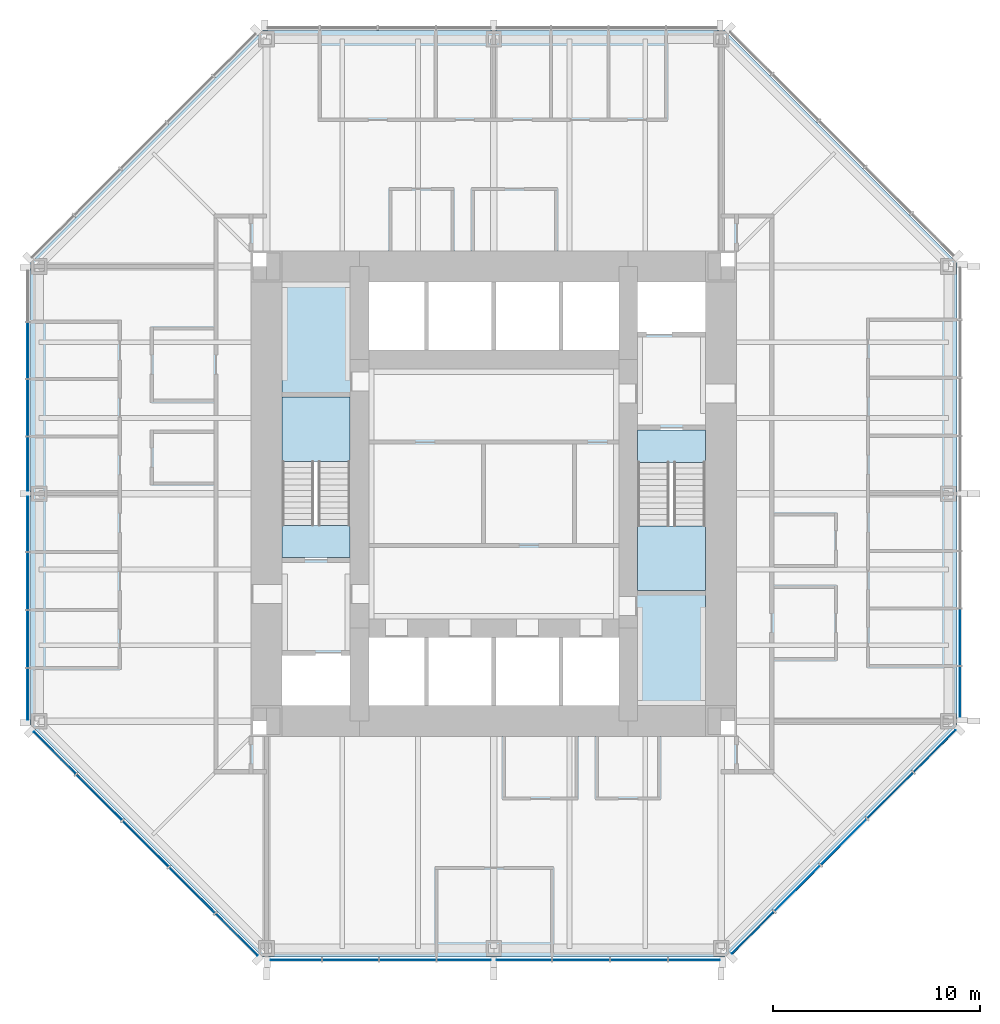
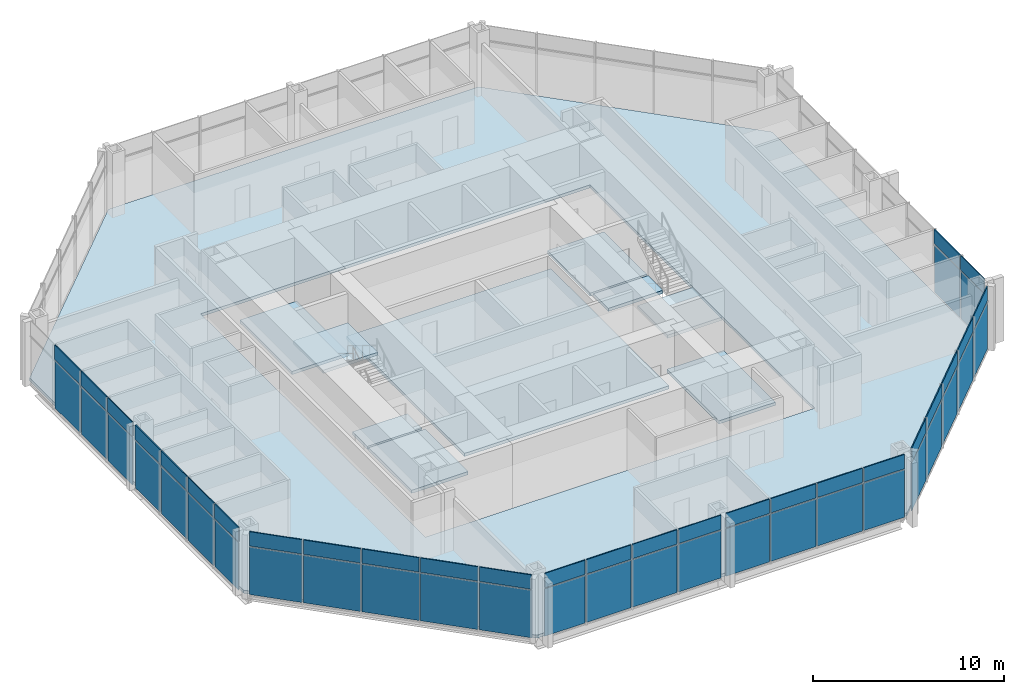
# One storey, part 7 of 14: 54 plates, 10 slabs, 7 elements without a shape of their own.
"""IFC4 building model written with IfcOpenShell, lengths in metres."""

from ifc_helpers import new_model, si_unit, direction, frame, origin, origin_2d, place, context, subcontext, project, spatial, polyline, rectangle, outline, extrude, material, layer, layer_set, type_object, element, aggregate, save


model = new_model("IFC4")

# Units and contexts
model_context = context("Model", 3, precision=1e-05, world=origin(), true_north=direction((0.0, 1.0)))
body_context = subcontext(model_context, "Body", "Model", "MODEL_VIEW")
ifc_project = project(units=[si_unit("LENGTHUNIT", "METRE"), si_unit("AREAUNIT", "SQUARE_METRE"), si_unit("VOLUMEUNIT", "CUBIC_METRE"), si_unit("PLANEANGLEUNIT", "RADIAN"), si_unit("MASSUNIT", "GRAM", prefix="KILO")], contexts=[model_context])

# Site, building, storey
site_placement = place(None, origin())
site = spatial("IfcSite", under=ifc_project, at=site_placement, CompositionType="ELEMENT")
building_placement = place(site_placement, origin())
building = spatial("IfcBuilding", under=site, at=building_placement, Name="Trevanion Tower", CompositionType="ELEMENT")
storey_placement = place(building_placement, frame((0.0, 0.0, 100.800048828125)))
storey = spatial("IfcBuildingStorey", under=building, at=storey_placement, Name="L23", CompositionType="ELEMENT", Elevation=100.800048828125)

# Curtain wall, plates
ifc_material_1 = material(Name="Aluminium and glass", Category="aluminium")
curtain_wall_type = type_object("IfcCurtainWallType", Name="CW2 curtain wall", PredefinedType="USERDEFINED", material=ifc_material_1)
curtain_wall_1_placement = place(storey_placement, origin())
curtain_wall_1 = element("IfcCurtainWall", 1, at=curtain_wall_1_placement, inside=storey, type_object=curtain_wall_type, Name="CW2 L23 0", ObjectType="UNITISED CURTAIN WALL", PredefinedType="USERDEFINED")
ifc_material_2 = material(Name="Aluminium spandrel panel", Category="aluminium")
ifc_layer_1 = layer(ifc_material_2, 0.06005859375)
ifc_layer_set_1 = layer_set([ifc_layer_1], Name="CW2 spandrel panel")
plate_type_1 = type_object("IfcPlateType", Name="CW2 spandrel panel", PredefinedType="CURTAIN_PANEL", material=ifc_layer_set_1)
plate_1_placement = place(storey_placement, frame((22.550048828125, -9.579345703125, 2.997314453125), z_axis=(0.0, 0.0, 1.0), x_axis=(0.0, 1.0, 0.0)))
plate_1 = element("IfcPlate", 2, at=plate_1_placement, type_object=plate_type_1, Name="CW2 panel 1.2", PredefinedType="CURTAIN_PANEL", context=body_context, shape_type="SweptSolid", body=[
    extrude(rectangle(XDim=2.43701171875, YDim=0.06005859375, at=origin_2d()), origin(), (0.0, 0.0, 1.0), 0.91259765625),
])
plate_2_placement = place(storey_placement, frame((22.550048828125, -6.93603515625, 2.997314453125), z_axis=(0.0, 0.0, 1.0), x_axis=(0.0, 1.0, 0.0)))
plate_2 = element("IfcPlate", 3, at=plate_2_placement, type_object=plate_type_1, Name="CW2 panel 2.2", PredefinedType="CURTAIN_PANEL", context=body_context, shape_type="SweptSolid", body=[
    extrude(rectangle(XDim=2.699462890625, YDim=0.06005859375, at=origin_2d()), origin(), (0.0, 0.0, 1.0), 0.91259765625),
])

curtain_wall_2_placement = place(storey_placement, origin())
curtain_wall_2 = element("IfcCurtainWall", 4, at=curtain_wall_2_placement, inside=storey, type_object=curtain_wall_type, Name="CW2 L23 4", ObjectType="UNITISED CURTAIN WALL", PredefinedType="USERDEFINED")
plate_3_placement = place(storey_placement, frame((-22.550048828125, 6.93603515625, 2.997314453125), z_axis=(0.0, 0.0, 1.0), x_axis=(0.0, -1.0, 0.0)))
plate_3 = element("IfcPlate", 5, at=plate_3_placement, type_object=plate_type_1, Name="CW2 panel 2.2", PredefinedType="CURTAIN_PANEL", context=body_context, shape_type="SweptSolid", body=[
    extrude(rectangle(XDim=2.699462890625, YDim=0.06005859375, at=origin_2d()), origin(), (0.0, 0.0, 1.0), 0.91259765625),
])
plate_4_placement = place(storey_placement, frame((-22.550048828125, 4.16162109375, 2.997314453125), z_axis=(0.0, 0.0, 1.0), x_axis=(0.0, -1.0, 0.0)))
plate_4 = element("IfcPlate", 6, at=plate_4_placement, type_object=plate_type_1, Name="CW2 panel 3.2", PredefinedType="CURTAIN_PANEL", context=body_context, shape_type="SweptSolid", body=[
    extrude(rectangle(XDim=2.699462890625, YDim=0.06005859375, at=origin_2d()), origin(), (0.0, 0.0, 1.0), 0.91259765625),
])
plate_5_placement = place(storey_placement, frame((-22.550048828125, 1.443603515625, 2.997314453125), z_axis=(0.0, 0.0, 1.0), x_axis=(0.0, -1.0, 0.0)))
plate_5 = element("IfcPlate", 7, at=plate_5_placement, type_object=plate_type_1, Name="CW2 panel 4.2", PredefinedType="CURTAIN_PANEL", context=body_context, shape_type="SweptSolid", body=[
    extrude(rectangle(XDim=2.5869140625, YDim=0.06005859375, at=origin_2d()), origin(), (0.0, 0.0, 1.0), 0.91259765625),
])
plate_6_placement = place(storey_placement, frame((-22.550048828125, -1.459716796875, 2.997314453125), z_axis=(0.0, 0.0, 1.0), x_axis=(0.0, -1.0, 0.0)))
plate_6 = element("IfcPlate", 8, at=plate_6_placement, type_object=plate_type_1, Name="CW2 panel 5.2", PredefinedType="CURTAIN_PANEL", context=body_context, shape_type="SweptSolid", body=[
    extrude(rectangle(XDim=2.619384765625, YDim=0.06005859375, at=origin_2d()), origin(), (0.0, 0.0, 1.0), 0.91259765625),
])
plate_7_placement = place(storey_placement, frame((-22.550048828125, -4.21044921875, 2.997314453125), z_axis=(0.0, 0.0, 1.0), x_axis=(0.0, -1.0, 0.0)))
plate_7 = element("IfcPlate", 9, at=plate_7_placement, type_object=plate_type_1, Name="CW2 panel 6.2", PredefinedType="CURTAIN_PANEL", context=body_context, shape_type="SweptSolid", body=[
    extrude(rectangle(XDim=2.73193359375, YDim=0.06005859375, at=origin_2d()), origin(), (0.0, 0.0, 1.0), 0.91259765625),
])
plate_8_placement = place(storey_placement, frame((-22.550048828125, -7.017333984375, 2.997314453125), z_axis=(0.0, 0.0, 1.0), x_axis=(0.0, -1.0, 0.0)))
plate_8 = element("IfcPlate", 10, at=plate_8_placement, type_object=plate_type_1, Name="CW2 panel 7.2", PredefinedType="CURTAIN_PANEL", context=body_context, shape_type="SweptSolid", body=[
    extrude(rectangle(XDim=2.73193359375, YDim=0.06005859375, at=origin_2d()), origin(), (0.0, 0.0, 1.0), 0.91259765625),
])
plate_9_placement = place(storey_placement, frame((-22.550048828125, -9.693115234375, 2.997314453125), z_axis=(0.0, 0.0, 1.0), x_axis=(0.0, -1.0, 0.0)))
plate_9 = element("IfcPlate", 11, at=plate_9_placement, type_object=plate_type_1, Name="CW2 panel 8.2", PredefinedType="CURTAIN_PANEL", context=body_context, shape_type="SweptSolid", body=[
    extrude(rectangle(XDim=2.469482421875, YDim=0.06005859375, at=origin_2d()), origin(), (0.0, 0.0, 1.0), 0.91259765625),
])

curtain_wall_3_placement = place(storey_placement, origin())
curtain_wall_3 = element("IfcCurtainWall", 12, at=curtain_wall_3_placement, inside=storey, type_object=curtain_wall_type, Name="CW2 L23 5", ObjectType="UNITISED CURTAIN WALL", PredefinedType="USERDEFINED")
plate_10_placement = place(storey_placement, frame((-21.2421875, -12.53564453125, 2.997314453125), z_axis=(0.0, 0.0, 1.0), x_axis=(0.707106781187, -0.707106781187, 0.0)))
plate_10 = element("IfcPlate", 13, at=plate_10_placement, type_object=plate_type_1, Name="CW2 panel 1.2", PredefinedType="CURTAIN_PANEL", context=body_context, shape_type="SweptSolid", body=[
    extrude(rectangle(XDim=2.8388671875, YDim=0.06005859375, at=origin_2d()), origin(), (0.0, 0.0, 1.0), 0.91259765625),
])
plate_11_placement = place(storey_placement, frame((-19.089111328125, -14.688720703125, 2.997314453125), z_axis=(0.0, 0.0, 1.0), x_axis=(0.707106781187, -0.707106781187, 0.0)))
plate_11 = element("IfcPlate", 14, at=plate_11_placement, type_object=plate_type_1, Name="CW2 panel 2.2", PredefinedType="CURTAIN_PANEL", context=body_context, shape_type="SweptSolid", body=[
    extrude(rectangle(XDim=3.101318359375, YDim=0.06005859375, at=origin_2d()), origin(), (0.0, 0.0, 1.0), 0.91259765625),
])
plate_12_placement = place(storey_placement, frame((-16.843017578125, -16.934814453125, 2.997314453125), z_axis=(0.0, 0.0, 1.0), x_axis=(0.707106781187, -0.707106781187, 0.0)))
plate_12 = element("IfcPlate", 15, at=plate_12_placement, type_object=plate_type_1, Name="CW2 panel 3.2", PredefinedType="CURTAIN_PANEL", context=body_context, shape_type="SweptSolid", body=[
    extrude(rectangle(XDim=3.101318359375, YDim=0.06005859375, at=origin_2d()), origin(), (0.0, 0.0, 1.0), 0.91259765625),
])
plate_13_placement = place(storey_placement, frame((-14.596923828125, -19.180908203125, 2.997314453125), z_axis=(0.0, 0.0, 1.0), x_axis=(0.707106781187, -0.707106781187, 0.0)))
plate_13 = element("IfcPlate", 16, at=plate_13_placement, type_object=plate_type_1, Name="CW2 panel 4.2", PredefinedType="CURTAIN_PANEL", context=body_context, shape_type="SweptSolid", body=[
    extrude(rectangle(XDim=3.101318359375, YDim=0.06005859375, at=origin_2d()), origin(), (0.0, 0.0, 1.0), 0.91259765625),
])
plate_14_placement = place(storey_placement, frame((-12.443603515625, -21.334228515625, 2.997314453125), z_axis=(0.0, 0.0, 1.0), x_axis=(0.707106781187, -0.707106781187, 0.0)))
plate_14 = element("IfcPlate", 17, at=plate_14_placement, type_object=plate_type_1, Name="CW2 panel 5.2", PredefinedType="CURTAIN_PANEL", context=body_context, shape_type="SweptSolid", body=[
    extrude(rectangle(XDim=2.8388671875, YDim=0.06005859375, at=origin_2d()), origin(), (0.0, 0.0, 1.0), 0.91259765625),
])

curtain_wall_4_placement = place(storey_placement, origin())
curtain_wall_4 = element("IfcCurtainWall", 18, at=curtain_wall_4_placement, inside=storey, type_object=curtain_wall_type, Name="CW2 L23 6", ObjectType="UNITISED CURTAIN WALL", PredefinedType="USERDEFINED")
plate_15_placement = place(storey_placement, frame((-9.579345703125, -22.550048828125, 2.997314453125), z_axis=(0.0, 0.0, 1.0), x_axis=(1.0, 0.0, 0.0)))
plate_15 = element("IfcPlate", 19, at=plate_15_placement, type_object=plate_type_1, Name="CW2 panel 1.2", PredefinedType="CURTAIN_PANEL", context=body_context, shape_type="SweptSolid", body=[
    extrude(rectangle(XDim=2.43701171875, YDim=0.06005859375, at=origin_2d()), origin(), (0.0, 0.0, 1.0), 0.91259765625),
])
plate_16_placement = place(storey_placement, frame((-6.93603515625, -22.550048828125, 2.997314453125), z_axis=(0.0, 0.0, 1.0), x_axis=(1.0, 0.0, 0.0)))
plate_16 = element("IfcPlate", 20, at=plate_16_placement, type_object=plate_type_1, Name="CW2 panel 2.2", PredefinedType="CURTAIN_PANEL", context=body_context, shape_type="SweptSolid", body=[
    extrude(rectangle(XDim=2.699462890625, YDim=0.06005859375, at=origin_2d()), origin(), (0.0, 0.0, 1.0), 0.91259765625),
])
plate_17_placement = place(storey_placement, frame((-4.16162109375, -22.550048828125, 2.997314453125), z_axis=(0.0, 0.0, 1.0), x_axis=(1.0, 0.0, 0.0)))
plate_17 = element("IfcPlate", 21, at=plate_17_placement, type_object=plate_type_1, Name="CW2 panel 3.2", PredefinedType="CURTAIN_PANEL", context=body_context, shape_type="SweptSolid", body=[
    extrude(rectangle(XDim=2.699462890625, YDim=0.06005859375, at=origin_2d()), origin(), (0.0, 0.0, 1.0), 0.91259765625),
])
plate_18_placement = place(storey_placement, frame((-1.443603515625, -22.550048828125, 2.997314453125), z_axis=(0.0, 0.0, 1.0), x_axis=(1.0, 0.0, 0.0)))
plate_18 = element("IfcPlate", 22, at=plate_18_placement, type_object=plate_type_1, Name="CW2 panel 4.2", PredefinedType="CURTAIN_PANEL", context=body_context, shape_type="SweptSolid", body=[
    extrude(rectangle(XDim=2.5869140625, YDim=0.06005859375, at=origin_2d()), origin(), (0.0, 0.0, 1.0), 0.91259765625),
])
plate_19_placement = place(storey_placement, frame((1.459716796875, -22.550048828125, 2.997314453125), z_axis=(0.0, 0.0, 1.0), x_axis=(1.0, 0.0, 0.0)))
plate_19 = element("IfcPlate", 23, at=plate_19_placement, type_object=plate_type_1, Name="CW2 panel 5.2", PredefinedType="CURTAIN_PANEL", context=body_context, shape_type="SweptSolid", body=[
    extrude(rectangle(XDim=2.619384765625, YDim=0.06005859375, at=origin_2d()), origin(), (0.0, 0.0, 1.0), 0.91259765625),
])
plate_20_placement = place(storey_placement, frame((4.21044921875, -22.550048828125, 2.997314453125), z_axis=(0.0, 0.0, 1.0), x_axis=(1.0, 0.0, 0.0)))
plate_20 = element("IfcPlate", 24, at=plate_20_placement, type_object=plate_type_1, Name="CW2 panel 6.2", PredefinedType="CURTAIN_PANEL", context=body_context, shape_type="SweptSolid", body=[
    extrude(rectangle(XDim=2.73193359375, YDim=0.06005859375, at=origin_2d()), origin(), (0.0, 0.0, 1.0), 0.91259765625),
])
plate_21_placement = place(storey_placement, frame((7.017333984375, -22.550048828125, 2.997314453125), z_axis=(0.0, 0.0, 1.0), x_axis=(1.0, 0.0, 0.0)))
plate_21 = element("IfcPlate", 25, at=plate_21_placement, type_object=plate_type_1, Name="CW2 panel 7.2", PredefinedType="CURTAIN_PANEL", context=body_context, shape_type="SweptSolid", body=[
    extrude(rectangle(XDim=2.73193359375, YDim=0.06005859375, at=origin_2d()), origin(), (0.0, 0.0, 1.0), 0.91259765625),
])
plate_22_placement = place(storey_placement, frame((9.693115234375, -22.550048828125, 2.997314453125), z_axis=(0.0, 0.0, 1.0), x_axis=(1.0, 0.0, 0.0)))
plate_22 = element("IfcPlate", 26, at=plate_22_placement, type_object=plate_type_1, Name="CW2 panel 8.2", PredefinedType="CURTAIN_PANEL", context=body_context, shape_type="SweptSolid", body=[
    extrude(rectangle(XDim=2.469482421875, YDim=0.06005859375, at=origin_2d()), origin(), (0.0, 0.0, 1.0), 0.91259765625),
])

curtain_wall_5_placement = place(storey_placement, origin())
curtain_wall_5 = element("IfcCurtainWall", 27, at=curtain_wall_5_placement, inside=storey, type_object=curtain_wall_type, Name="CW2 L23 7", ObjectType="UNITISED CURTAIN WALL", PredefinedType="USERDEFINED")
plate_23_placement = place(storey_placement, frame((12.53564453125, -21.2421875, 2.997314453125), z_axis=(0.0, 0.0, 1.0), x_axis=(0.707106781187, 0.707106781187, 0.0)))
plate_23 = element("IfcPlate", 28, at=plate_23_placement, type_object=plate_type_1, Name="CW2 panel 1.2", PredefinedType="CURTAIN_PANEL", context=body_context, shape_type="SweptSolid", body=[
    extrude(rectangle(XDim=2.8388671875, YDim=0.06005859375, at=origin_2d()), origin(), (0.0, 0.0, 1.0), 0.91259765625),
])
plate_24_placement = place(storey_placement, frame((14.688720703125, -19.089111328125, 2.997314453125), z_axis=(0.0, 0.0, 1.0), x_axis=(0.707106781187, 0.707106781187, 0.0)))
plate_24 = element("IfcPlate", 29, at=plate_24_placement, type_object=plate_type_1, Name="CW2 panel 2.2", PredefinedType="CURTAIN_PANEL", context=body_context, shape_type="SweptSolid", body=[
    extrude(rectangle(XDim=3.101318359375, YDim=0.06005859375, at=origin_2d()), origin(), (0.0, 0.0, 1.0), 0.91259765625),
])
plate_25_placement = place(storey_placement, frame((16.934814453125, -16.843017578125, 2.997314453125), z_axis=(0.0, 0.0, 1.0), x_axis=(0.707106781187, 0.707106781187, 0.0)))
plate_25 = element("IfcPlate", 30, at=plate_25_placement, type_object=plate_type_1, Name="CW2 panel 3.2", PredefinedType="CURTAIN_PANEL", context=body_context, shape_type="SweptSolid", body=[
    extrude(rectangle(XDim=3.101318359375, YDim=0.06005859375, at=origin_2d()), origin(), (0.0, 0.0, 1.0), 0.91259765625),
])
plate_26_placement = place(storey_placement, frame((19.180908203125, -14.596923828125, 2.997314453125), z_axis=(0.0, 0.0, 1.0), x_axis=(0.707106781187, 0.707106781187, 0.0)))
plate_26 = element("IfcPlate", 31, at=plate_26_placement, type_object=plate_type_1, Name="CW2 panel 4.2", PredefinedType="CURTAIN_PANEL", context=body_context, shape_type="SweptSolid", body=[
    extrude(rectangle(XDim=3.101318359375, YDim=0.06005859375, at=origin_2d()), origin(), (0.0, 0.0, 1.0), 0.91259765625),
])
plate_27_placement = place(storey_placement, frame((21.334228515625, -12.443603515625, 2.997314453125), z_axis=(0.0, 0.0, 1.0), x_axis=(0.707106781187, 0.707106781187, 0.0)))
plate_27 = element("IfcPlate", 32, at=plate_27_placement, type_object=plate_type_1, Name="CW2 panel 5.2", PredefinedType="CURTAIN_PANEL", context=body_context, shape_type="SweptSolid", body=[
    extrude(rectangle(XDim=2.8388671875, YDim=0.06005859375, at=origin_2d()), origin(), (0.0, 0.0, 1.0), 0.91259765625),
])

# Plate
ifc_material_3 = material(Name="Insulating glass unit", Category="glass")
ifc_layer_2 = layer(ifc_material_3, 0.028076171875)
ifc_layer_set_2 = layer_set([ifc_layer_2], Name="CW2 vision panel")
plate_type_2 = type_object("IfcPlateType", Name="CW2 vision panel", PredefinedType="CURTAIN_PANEL", material=ifc_layer_set_2)
plate_28_placement = place(storey_placement, frame((22.550048828125, -9.579345703125, -0.115234375), z_axis=(0.0, 0.0, 1.0), x_axis=(0.0, 1.0, 0.0)))
plate_28 = element("IfcPlate", 33, at=plate_28_placement, type_object=plate_type_2, Name="CW2 panel 1.1", PredefinedType="CURTAIN_PANEL", context=body_context, shape_type="SweptSolid", body=[
    extrude(rectangle(XDim=2.43701171875, YDim=0.028076171875, at=origin_2d()), origin(), (0.0, 0.0, 1.0), 3.03759765625),
])

plate_29_placement = place(storey_placement, frame((22.550048828125, -6.93603515625, -0.115234375), z_axis=(0.0, 0.0, 1.0), x_axis=(0.0, 1.0, 0.0)))
plate_29 = element("IfcPlate", 34, at=plate_29_placement, type_object=plate_type_2, Name="CW2 panel 2.1", PredefinedType="CURTAIN_PANEL", context=body_context, shape_type="SweptSolid", body=[
    extrude(rectangle(XDim=2.699462890625, YDim=0.028076171875, at=origin_2d()), origin(), (0.0, 0.0, 1.0), 3.03759765625),
])

aggregate(curtain_wall_1, [plate_28, plate_1, plate_29, plate_2])

plate_30_placement = place(storey_placement, frame((-22.550048828125, 6.93603515625, -0.115234375), z_axis=(0.0, 0.0, 1.0), x_axis=(0.0, -1.0, 0.0)))
plate_30 = element("IfcPlate", 35, at=plate_30_placement, type_object=plate_type_2, Name="CW2 panel 2.1", PredefinedType="CURTAIN_PANEL", context=body_context, shape_type="SweptSolid", body=[
    extrude(rectangle(XDim=2.699462890625, YDim=0.028076171875, at=origin_2d()), origin(), (0.0, 0.0, 1.0), 3.03759765625),
])

plate_31_placement = place(storey_placement, frame((-22.550048828125, 4.16162109375, -0.115234375), z_axis=(0.0, 0.0, 1.0), x_axis=(0.0, -1.0, 0.0)))
plate_31 = element("IfcPlate", 36, at=plate_31_placement, type_object=plate_type_2, Name="CW2 panel 3.1", PredefinedType="CURTAIN_PANEL", context=body_context, shape_type="SweptSolid", body=[
    extrude(rectangle(XDim=2.699462890625, YDim=0.028076171875, at=origin_2d()), origin(), (0.0, 0.0, 1.0), 3.03759765625),
])

plate_32_placement = place(storey_placement, frame((-22.550048828125, 1.443603515625, -0.115234375), z_axis=(0.0, 0.0, 1.0), x_axis=(0.0, -1.0, 0.0)))
plate_32 = element("IfcPlate", 37, at=plate_32_placement, type_object=plate_type_2, Name="CW2 panel 4.1", PredefinedType="CURTAIN_PANEL", context=body_context, shape_type="SweptSolid", body=[
    extrude(rectangle(XDim=2.5869140625, YDim=0.028076171875, at=origin_2d()), origin(), (0.0, 0.0, 1.0), 3.03759765625),
])

plate_33_placement = place(storey_placement, frame((-22.550048828125, -1.459716796875, -0.115234375), z_axis=(0.0, 0.0, 1.0), x_axis=(0.0, -1.0, 0.0)))
plate_33 = element("IfcPlate", 38, at=plate_33_placement, type_object=plate_type_2, Name="CW2 panel 5.1", PredefinedType="CURTAIN_PANEL", context=body_context, shape_type="SweptSolid", body=[
    extrude(rectangle(XDim=2.619384765625, YDim=0.028076171875, at=origin_2d()), origin(), (0.0, 0.0, 1.0), 3.03759765625),
])

plate_34_placement = place(storey_placement, frame((-22.550048828125, -4.21044921875, -0.115234375), z_axis=(0.0, 0.0, 1.0), x_axis=(0.0, -1.0, 0.0)))
plate_34 = element("IfcPlate", 39, at=plate_34_placement, type_object=plate_type_2, Name="CW2 panel 6.1", PredefinedType="CURTAIN_PANEL", context=body_context, shape_type="SweptSolid", body=[
    extrude(rectangle(XDim=2.73193359375, YDim=0.028076171875, at=origin_2d()), origin(), (0.0, 0.0, 1.0), 3.03759765625),
])

plate_35_placement = place(storey_placement, frame((-22.550048828125, -7.017333984375, -0.115234375), z_axis=(0.0, 0.0, 1.0), x_axis=(0.0, -1.0, 0.0)))
plate_35 = element("IfcPlate", 40, at=plate_35_placement, type_object=plate_type_2, Name="CW2 panel 7.1", PredefinedType="CURTAIN_PANEL", context=body_context, shape_type="SweptSolid", body=[
    extrude(rectangle(XDim=2.73193359375, YDim=0.028076171875, at=origin_2d()), origin(), (0.0, 0.0, 1.0), 3.03759765625),
])

plate_36_placement = place(storey_placement, frame((-22.550048828125, -9.693115234375, -0.115234375), z_axis=(0.0, 0.0, 1.0), x_axis=(0.0, -1.0, 0.0)))
plate_36 = element("IfcPlate", 41, at=plate_36_placement, type_object=plate_type_2, Name="CW2 panel 8.1", PredefinedType="CURTAIN_PANEL", context=body_context, shape_type="SweptSolid", body=[
    extrude(rectangle(XDim=2.469482421875, YDim=0.028076171875, at=origin_2d()), origin(), (0.0, 0.0, 1.0), 3.03759765625),
])

aggregate(curtain_wall_2, [plate_30, plate_3, plate_31, plate_4, plate_32, plate_5, plate_33, plate_6, plate_34, plate_7, plate_35, plate_8, plate_36, plate_9])

plate_37_placement = place(storey_placement, frame((-21.2421875, -12.53564453125, -0.115234375), z_axis=(0.0, 0.0, 1.0), x_axis=(0.707106781187, -0.707106781187, 0.0)))
plate_37 = element("IfcPlate", 42, at=plate_37_placement, type_object=plate_type_2, Name="CW2 panel 1.1", PredefinedType="CURTAIN_PANEL", context=body_context, shape_type="SweptSolid", body=[
    extrude(rectangle(XDim=2.8388671875, YDim=0.028076171875, at=origin_2d()), origin(), (0.0, 0.0, 1.0), 3.03759765625),
])

plate_38_placement = place(storey_placement, frame((-19.089111328125, -14.688720703125, -0.115234375), z_axis=(0.0, 0.0, 1.0), x_axis=(0.707106781187, -0.707106781187, 0.0)))
plate_38 = element("IfcPlate", 43, at=plate_38_placement, type_object=plate_type_2, Name="CW2 panel 2.1", PredefinedType="CURTAIN_PANEL", context=body_context, shape_type="SweptSolid", body=[
    extrude(rectangle(XDim=3.101318359375, YDim=0.028076171875, at=origin_2d()), origin(), (0.0, 0.0, 1.0), 3.03759765625),
])

plate_39_placement = place(storey_placement, frame((-16.843017578125, -16.934814453125, -0.115234375), z_axis=(0.0, 0.0, 1.0), x_axis=(0.707106781187, -0.707106781187, 0.0)))
plate_39 = element("IfcPlate", 44, at=plate_39_placement, type_object=plate_type_2, Name="CW2 panel 3.1", PredefinedType="CURTAIN_PANEL", context=body_context, shape_type="SweptSolid", body=[
    extrude(rectangle(XDim=3.101318359375, YDim=0.028076171875, at=origin_2d()), origin(), (0.0, 0.0, 1.0), 3.03759765625),
])

plate_40_placement = place(storey_placement, frame((-14.596923828125, -19.180908203125, -0.115234375), z_axis=(0.0, 0.0, 1.0), x_axis=(0.707106781187, -0.707106781187, 0.0)))
plate_40 = element("IfcPlate", 45, at=plate_40_placement, type_object=plate_type_2, Name="CW2 panel 4.1", PredefinedType="CURTAIN_PANEL", context=body_context, shape_type="SweptSolid", body=[
    extrude(rectangle(XDim=3.101318359375, YDim=0.028076171875, at=origin_2d()), origin(), (0.0, 0.0, 1.0), 3.03759765625),
])

plate_41_placement = place(storey_placement, frame((-12.443603515625, -21.334228515625, -0.115234375), z_axis=(0.0, 0.0, 1.0), x_axis=(0.707106781187, -0.707106781187, 0.0)))
plate_41 = element("IfcPlate", 46, at=plate_41_placement, type_object=plate_type_2, Name="CW2 panel 5.1", PredefinedType="CURTAIN_PANEL", context=body_context, shape_type="SweptSolid", body=[
    extrude(rectangle(XDim=2.8388671875, YDim=0.028076171875, at=origin_2d()), origin(), (0.0, 0.0, 1.0), 3.03759765625),
])

aggregate(curtain_wall_3, [plate_37, plate_10, plate_38, plate_11, plate_39, plate_12, plate_40, plate_13, plate_41, plate_14])

plate_42_placement = place(storey_placement, frame((-9.579345703125, -22.550048828125, -0.115234375), z_axis=(0.0, 0.0, 1.0), x_axis=(1.0, 0.0, 0.0)))
plate_42 = element("IfcPlate", 47, at=plate_42_placement, type_object=plate_type_2, Name="CW2 panel 1.1", PredefinedType="CURTAIN_PANEL", context=body_context, shape_type="SweptSolid", body=[
    extrude(rectangle(XDim=2.43701171875, YDim=0.028076171875, at=origin_2d()), origin(), (0.0, 0.0, 1.0), 3.03759765625),
])

plate_43_placement = place(storey_placement, frame((-6.93603515625, -22.550048828125, -0.115234375), z_axis=(0.0, 0.0, 1.0), x_axis=(1.0, 0.0, 0.0)))
plate_43 = element("IfcPlate", 48, at=plate_43_placement, type_object=plate_type_2, Name="CW2 panel 2.1", PredefinedType="CURTAIN_PANEL", context=body_context, shape_type="SweptSolid", body=[
    extrude(rectangle(XDim=2.699462890625, YDim=0.028076171875, at=origin_2d()), origin(), (0.0, 0.0, 1.0), 3.03759765625),
])

plate_44_placement = place(storey_placement, frame((-4.16162109375, -22.550048828125, -0.115234375), z_axis=(0.0, 0.0, 1.0), x_axis=(1.0, 0.0, 0.0)))
plate_44 = element("IfcPlate", 49, at=plate_44_placement, type_object=plate_type_2, Name="CW2 panel 3.1", PredefinedType="CURTAIN_PANEL", context=body_context, shape_type="SweptSolid", body=[
    extrude(rectangle(XDim=2.699462890625, YDim=0.028076171875, at=origin_2d()), origin(), (0.0, 0.0, 1.0), 3.03759765625),
])

plate_45_placement = place(storey_placement, frame((-1.443603515625, -22.550048828125, -0.115234375), z_axis=(0.0, 0.0, 1.0), x_axis=(1.0, 0.0, 0.0)))
plate_45 = element("IfcPlate", 50, at=plate_45_placement, type_object=plate_type_2, Name="CW2 panel 4.1", PredefinedType="CURTAIN_PANEL", context=body_context, shape_type="SweptSolid", body=[
    extrude(rectangle(XDim=2.5869140625, YDim=0.028076171875, at=origin_2d()), origin(), (0.0, 0.0, 1.0), 3.03759765625),
])

plate_46_placement = place(storey_placement, frame((1.459716796875, -22.550048828125, -0.115234375), z_axis=(0.0, 0.0, 1.0), x_axis=(1.0, 0.0, 0.0)))
plate_46 = element("IfcPlate", 51, at=plate_46_placement, type_object=plate_type_2, Name="CW2 panel 5.1", PredefinedType="CURTAIN_PANEL", context=body_context, shape_type="SweptSolid", body=[
    extrude(rectangle(XDim=2.619384765625, YDim=0.028076171875, at=origin_2d()), origin(), (0.0, 0.0, 1.0), 3.03759765625),
])

plate_47_placement = place(storey_placement, frame((4.21044921875, -22.550048828125, -0.115234375), z_axis=(0.0, 0.0, 1.0), x_axis=(1.0, 0.0, 0.0)))
plate_47 = element("IfcPlate", 52, at=plate_47_placement, type_object=plate_type_2, Name="CW2 panel 6.1", PredefinedType="CURTAIN_PANEL", context=body_context, shape_type="SweptSolid", body=[
    extrude(rectangle(XDim=2.73193359375, YDim=0.028076171875, at=origin_2d()), origin(), (0.0, 0.0, 1.0), 3.03759765625),
])

plate_48_placement = place(storey_placement, frame((7.017333984375, -22.550048828125, -0.115234375), z_axis=(0.0, 0.0, 1.0), x_axis=(1.0, 0.0, 0.0)))
plate_48 = element("IfcPlate", 53, at=plate_48_placement, type_object=plate_type_2, Name="CW2 panel 7.1", PredefinedType="CURTAIN_PANEL", context=body_context, shape_type="SweptSolid", body=[
    extrude(rectangle(XDim=2.73193359375, YDim=0.028076171875, at=origin_2d()), origin(), (0.0, 0.0, 1.0), 3.03759765625),
])

plate_49_placement = place(storey_placement, frame((9.693115234375, -22.550048828125, -0.115234375), z_axis=(0.0, 0.0, 1.0), x_axis=(1.0, 0.0, 0.0)))
plate_49 = element("IfcPlate", 54, at=plate_49_placement, type_object=plate_type_2, Name="CW2 panel 8.1", PredefinedType="CURTAIN_PANEL", context=body_context, shape_type="SweptSolid", body=[
    extrude(rectangle(XDim=2.469482421875, YDim=0.028076171875, at=origin_2d()), origin(), (0.0, 0.0, 1.0), 3.03759765625),
])

aggregate(curtain_wall_4, [plate_42, plate_15, plate_43, plate_16, plate_44, plate_17, plate_45, plate_18, plate_46, plate_19, plate_47, plate_20, plate_48, plate_21, plate_49, plate_22])

plate_50_placement = place(storey_placement, frame((12.53564453125, -21.2421875, -0.115234375), z_axis=(0.0, 0.0, 1.0), x_axis=(0.707106781187, 0.707106781187, 0.0)))
plate_50 = element("IfcPlate", 55, at=plate_50_placement, type_object=plate_type_2, Name="CW2 panel 1.1", PredefinedType="CURTAIN_PANEL", context=body_context, shape_type="SweptSolid", body=[
    extrude(rectangle(XDim=2.8388671875, YDim=0.028076171875, at=origin_2d()), origin(), (0.0, 0.0, 1.0), 3.03759765625),
])

plate_51_placement = place(storey_placement, frame((14.688720703125, -19.089111328125, -0.115234375), z_axis=(0.0, 0.0, 1.0), x_axis=(0.707106781187, 0.707106781187, 0.0)))
plate_51 = element("IfcPlate", 56, at=plate_51_placement, type_object=plate_type_2, Name="CW2 panel 2.1", PredefinedType="CURTAIN_PANEL", context=body_context, shape_type="SweptSolid", body=[
    extrude(rectangle(XDim=3.101318359375, YDim=0.028076171875, at=origin_2d()), origin(), (0.0, 0.0, 1.0), 3.03759765625),
])

plate_52_placement = place(storey_placement, frame((16.934814453125, -16.843017578125, -0.115234375), z_axis=(0.0, 0.0, 1.0), x_axis=(0.707106781187, 0.707106781187, 0.0)))
plate_52 = element("IfcPlate", 57, at=plate_52_placement, type_object=plate_type_2, Name="CW2 panel 3.1", PredefinedType="CURTAIN_PANEL", context=body_context, shape_type="SweptSolid", body=[
    extrude(rectangle(XDim=3.101318359375, YDim=0.028076171875, at=origin_2d()), origin(), (0.0, 0.0, 1.0), 3.03759765625),
])

plate_53_placement = place(storey_placement, frame((19.180908203125, -14.596923828125, -0.115234375), z_axis=(0.0, 0.0, 1.0), x_axis=(0.707106781187, 0.707106781187, 0.0)))
plate_53 = element("IfcPlate", 58, at=plate_53_placement, type_object=plate_type_2, Name="CW2 panel 4.1", PredefinedType="CURTAIN_PANEL", context=body_context, shape_type="SweptSolid", body=[
    extrude(rectangle(XDim=3.101318359375, YDim=0.028076171875, at=origin_2d()), origin(), (0.0, 0.0, 1.0), 3.03759765625),
])

plate_54_placement = place(storey_placement, frame((21.334228515625, -12.443603515625, -0.115234375), z_axis=(0.0, 0.0, 1.0), x_axis=(0.707106781187, 0.707106781187, 0.0)))
plate_54 = element("IfcPlate", 59, at=plate_54_placement, type_object=plate_type_2, Name="CW2 panel 5.1", PredefinedType="CURTAIN_PANEL", context=body_context, shape_type="SweptSolid", body=[
    extrude(rectangle(XDim=2.8388671875, YDim=0.028076171875, at=origin_2d()), origin(), (0.0, 0.0, 1.0), 3.03759765625),
])

aggregate(curtain_wall_5, [plate_50, plate_23, plate_51, plate_24, plate_52, plate_25, plate_53, plate_26, plate_54, plate_27])

# Slabs
ifc_material_4 = material(Name="Concrete 5,000 psi on composite metal deck", Category="concrete")
ifc_layer_3 = layer(ifc_material_4, 0.18994140625)
ifc_layer_set_3 = layer_set([ifc_layer_3], Name="SL1 composite floor 190")
slab_type_1 = type_object("IfcSlabType", Name="SL1 composite floor 190", PredefinedType="FLOOR", material=ifc_layer_set_3)
slab_1_placement = place(storey_placement, frame((0.0, 0.0, -0.18994140625)))
element("IfcSlab", 60, at=slab_1_placement, inside=storey, type_object=slab_type_1, Name="SL1 L23 floor", PredefinedType="FLOOR", context=body_context, shape_type="SweptSolid", body=[
    extrude(outline(polyline([(22.419921875, -11.174072265625), (22.419921875, 11.174072265625), (11.174072265625, 22.419921875), (-11.174072265625, 22.419921875), (-22.419921875, 11.174072265625), (-22.419921875, -11.174072265625), (-11.174072265625, -22.419921875), (11.174072265625, -22.419921875), (22.419921875, -11.174072265625)]), holes=[polyline([(11.75, -11.75), (11.75, 11.75), (-11.75, 11.75), (-11.75, -11.75), (11.75, -11.75)])]), origin(), (0.0, 0.0, 1.0), 0.18994140625),
])
ifc_material_5 = material(Name="Concrete 5,000 psi", Category="concrete")
ifc_layer_4 = layer(ifc_material_5, 0.199951171875)
ifc_layer_set_4 = layer_set([ifc_layer_4], Name="SL2 core floor 200")
slab_type_2 = type_object("IfcSlabType", Name="SL2 core floor 200", PredefinedType="FLOOR", material=ifc_layer_set_4)
slab_2_placement = place(storey_placement, frame((0.0, 0.0, -0.199951171875)))
element("IfcSlab", 61, at=slab_2_placement, inside=storey, type_object=slab_type_2, Name="SL2 L23 core floor 1", PredefinedType="FLOOR", context=body_context, shape_type="SweptSolid", body=[
    extrude(outline(polyline([(10.25, -4.804931640625), (10.25, -10.25), (6.830078125, -10.25), (6.830078125, -4.804931640625), (10.25, -4.804931640625)])), origin(), (0.0, 0.0, 1.0), 0.199951171875),
])
slab_3_placement = place(storey_placement, frame((0.0, 0.0, -0.199951171875)))
element("IfcSlab", 62, at=slab_3_placement, inside=storey, type_object=slab_type_2, Name="SL2 L23 core floor 2", PredefinedType="FLOOR", context=body_context, shape_type="SweptSolid", body=[
    extrude(outline(polyline([(-6.830078125, -3.205078125), (-6.830078125, -7.695068359375), (-10.25, -7.695068359375), (-10.25, -3.205078125), (-6.830078125, -3.205078125)])), origin(), (0.0, 0.0, 1.0), 0.199951171875),
])
slab_4_placement = place(storey_placement, frame((0.0, 0.0, -0.199951171875)))
element("IfcSlab", 63, at=slab_4_placement, inside=storey, type_object=slab_type_2, Name="SL2 L23 core floor 3", PredefinedType="FLOOR", context=body_context, shape_type="SweptSolid", body=[
    extrude(outline(polyline([(6.169921875, -6.169921875), (-6.169921875, -6.169921875), (-6.169921875, 6.169921875), (6.169921875, 6.169921875), (6.169921875, -6.169921875)])), origin(), (0.0, 0.0, 1.0), 0.199951171875),
])
slab_5_placement = place(storey_placement, frame((0.0, 0.0, -0.199951171875)))
element("IfcSlab", 64, at=slab_5_placement, inside=storey, type_object=slab_type_2, Name="SL2 L23 core floor 4", PredefinedType="FLOOR", context=body_context, shape_type="SweptSolid", body=[
    extrude(outline(polyline([(6.830078125, 3.205078125), (6.830078125, 7.695068359375), (10.25, 7.695068359375), (10.25, 3.205078125), (6.830078125, 3.205078125)])), origin(), (0.0, 0.0, 1.0), 0.199951171875),
])
slab_6_placement = place(storey_placement, frame((0.0, 0.0, -0.199951171875)))
element("IfcSlab", 65, at=slab_6_placement, inside=storey, type_object=slab_type_2, Name="SL2 L23 core floor 5", PredefinedType="FLOOR", context=body_context, shape_type="SweptSolid", body=[
    extrude(outline(polyline([(-6.830078125, 4.804931640625), (-10.25, 4.804931640625), (-10.25, 10.25), (-6.830078125, 10.25), (-6.830078125, 4.804931640625)])), origin(), (0.0, 0.0, 1.0), 0.199951171875),
])

# Stair, slabs
ifc_material_6 = material(Name="Concrete 5,000 psi on steel stringers", Category="concrete")
stair_type = type_object("IfcStairType", Name="ST stair", PredefinedType="HALF_TURN_STAIR", material=ifc_material_6)
stair_1_placement = place(storey_placement, origin())
stair_1 = element("IfcStair", 66, at=stair_1_placement, inside=storey, type_object=stair_type, Name="ST1 L23", PredefinedType="HALF_TURN_STAIR")
ifc_material_7 = material(Name="Concrete 5,000 psi in steel pan", Category="concrete")
ifc_layer_5 = layer(ifc_material_7, 0.199951171875)
ifc_layer_set_5 = layer_set([ifc_layer_5], Name="STL stair landing 200")
slab_type_3 = type_object("IfcSlabType", Name="STL stair landing 200", PredefinedType="LANDING", material=ifc_layer_set_5)
slab_7_placement = place(storey_placement, frame((0.0, 0.0, -0.199951171875)))
slab_7 = element("IfcSlab", 67, at=slab_7_placement, type_object=slab_type_3, Name="ST1 landing 1", PredefinedType="LANDING", context=body_context, shape_type="SweptSolid", body=[
    extrude(outline(polyline([(6.949951171875, 1.52490234375), (10.25, 1.52490234375), (10.25, 3.074951171875), (6.949951171875, 3.074951171875), (6.949951171875, 1.52490234375)])), origin(), (0.0, 0.0, 1.0), 0.199951171875),
])
slab_8_placement = place(storey_placement, frame((0.0, 0.0, 1.849853515625)))
slab_8 = element("IfcSlab", 68, at=slab_8_placement, type_object=slab_type_3, Name="ST1 landing 2", PredefinedType="LANDING", context=body_context, shape_type="SweptSolid", body=[
    extrude(outline(polyline([(6.949951171875, -4.675048828125), (10.25, -4.675048828125), (10.25, -1.554931640625), (6.949951171875, -1.554931640625), (6.949951171875, -4.675048828125)])), origin(), (0.0, 0.0, 1.0), 0.2001953125),
])
aggregate(stair_1, [slab_7, slab_8])

stair_2_placement = place(storey_placement, origin())
stair_2 = element("IfcStair", 69, at=stair_2_placement, inside=storey, type_object=stair_type, Name="ST2 L23", PredefinedType="HALF_TURN_STAIR")
slab_9_placement = place(storey_placement, frame((0.0, 0.0, -0.199951171875)))
slab_9 = element("IfcSlab", 70, at=slab_9_placement, type_object=slab_type_3, Name="ST2 landing 1", PredefinedType="LANDING", context=body_context, shape_type="SweptSolid", body=[
    extrude(outline(polyline([(-6.949951171875, -1.52490234375), (-10.25, -1.52490234375), (-10.25, -3.074951171875), (-6.949951171875, -3.074951171875), (-6.949951171875, -1.52490234375)])), origin(), (0.0, 0.0, 1.0), 0.199951171875),
])
slab_10_placement = place(storey_placement, frame((0.0, 0.0, 1.849853515625)))
slab_10 = element("IfcSlab", 71, at=slab_10_placement, type_object=slab_type_3, Name="ST2 landing 2", PredefinedType="LANDING", context=body_context, shape_type="SweptSolid", body=[
    extrude(outline(polyline([(-6.949951171875, 4.675048828125), (-10.25, 4.675048828125), (-10.25, 1.554931640625), (-6.949951171875, 1.554931640625), (-6.949951171875, 4.675048828125)])), origin(), (0.0, 0.0, 1.0), 0.2001953125),
])
aggregate(stair_2, [slab_9, slab_10])

save(model, "model.ifc")
